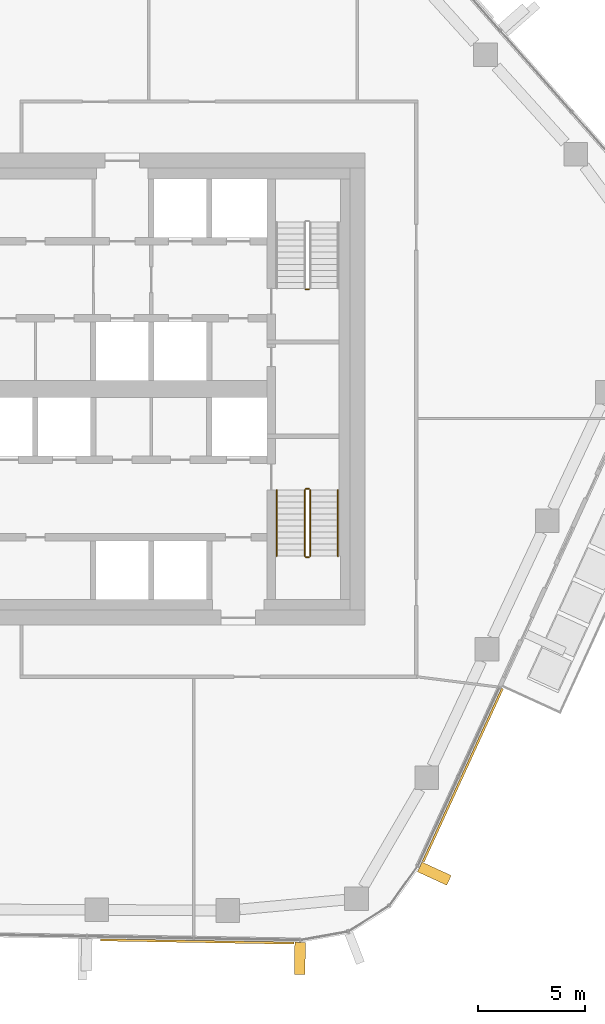
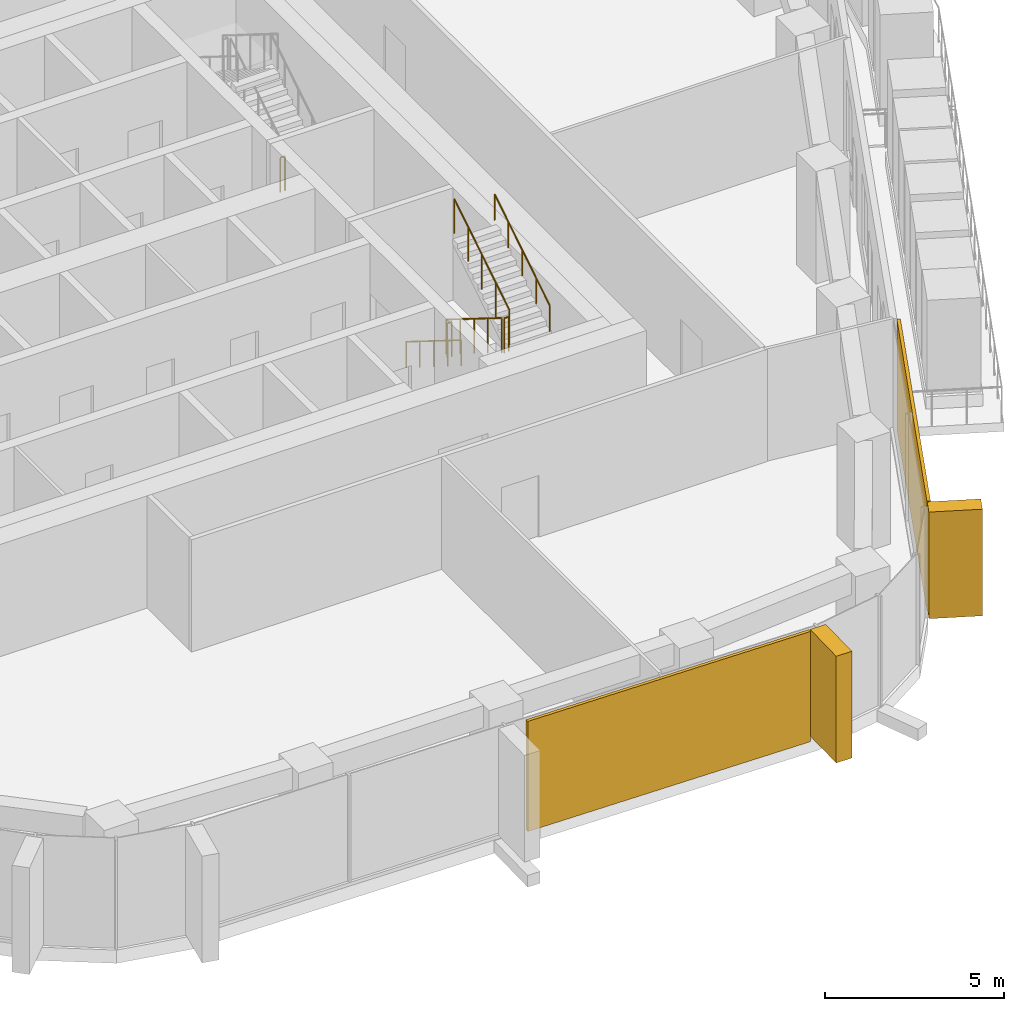
# One storey, part 18 of 22: 7 railings, 4 coverings, 2 elements without a shape of their own.
"""IFC4 building model written with IfcOpenShell, lengths in metres."""

from ifc_helpers import new_model, si_unit, direction, frame, origin, origin_2d, place, context, subcontext, project, spatial, rectangle, circle, extrude, material, layer, layer_set, material_profile, profile_set, type_object, element, aggregate, save


model = new_model("IFC4")

# Units and contexts
model_context = context("Model", 3, precision=1e-05, world=origin(), true_north=direction((0.0, 1.0)))
body_context = subcontext(model_context, "Body", "Model", "MODEL_VIEW")
ifc_project = project(units=[si_unit("LENGTHUNIT", "METRE"), si_unit("AREAUNIT", "SQUARE_METRE"), si_unit("VOLUMEUNIT", "CUBIC_METRE"), si_unit("PLANEANGLEUNIT", "RADIAN"), si_unit("MASSUNIT", "GRAM", prefix="KILO")], contexts=[model_context])

# Site, building, storey
site_placement = place(None, origin())
site = spatial("IfcSite", under=ifc_project, at=site_placement, CompositionType="ELEMENT")
building_placement = place(site_placement, origin())
building = spatial("IfcBuilding", under=site, at=building_placement, Name="Dongbaek Canopy Tower", CompositionType="ELEMENT")
storey_placement = place(building_placement, frame((0.0, 0.0, 237.0)))
storey = spatial("IfcBuildingStorey", under=building, at=storey_placement, Name="L49", CompositionType="ELEMENT", Elevation=237.0)

# Curtain wall, covering
ifc_material_1 = material(Name="Aluminium 6063-T6 pale anodised", Category="aluminium")
ifc_layer_1 = layer(ifc_material_1, 0.199951171875)
ifc_layer_set_1 = layer_set([ifc_layer_1], Name="CW-1 unitised tower curtain wall")
curtain_wall_type = type_object("IfcCurtainWallType", Name="CW-1 unitised tower curtain wall", PredefinedType="NOTDEFINED", material=ifc_layer_set_1)
curtain_wall_1_placement = place(storey_placement, origin())
curtain_wall_1 = element("IfcCurtainWall", 1, at=curtain_wall_1_placement, inside=storey, type_object=curtain_wall_type, Name="CW-1 curtain wall F4.1", PredefinedType="NOTDEFINED")
ifc_material_2 = material(Name="Perforated aluminium 6063-T6 pale metal screen", Category="aluminium")
ifc_layer_2 = layer(ifc_material_2, 0.10009765625)
ifc_layer_set_2 = layer_set([ifc_layer_2], Name="Facet screen FS1 100 pale metal")
covering_type_1 = type_object("IfcCoveringType", Name="Facet screen FS1 100 pale metal", PredefinedType="CLADDING", material=ifc_layer_set_2)
covering_1_placement = place(storey_placement, frame((6.1923828125, -25.74462890625, 0.0), z_axis=(0.0, 0.0, 1.0), x_axis=(0.999855600853, -0.016993452933, 0.0)))
covering_1 = element("IfcCovering", 2, at=covering_1_placement, type_object=covering_type_1, Name="Facet screen L49 F4", PredefinedType="CLADDING", context=body_context, shape_type="SweptSolid", body=[
    extrude(rectangle(XDim=9.011962890625, YDim=0.10009765625, at=origin_2d()), origin(), (0.0, 0.0, 1.0), 3.75),
])

curtain_wall_2_placement = place(storey_placement, origin())
curtain_wall_2 = element("IfcCurtainWall", 3, at=curtain_wall_2_placement, inside=storey, type_object=curtain_wall_type, Name="CW-1 curtain wall F5.1", PredefinedType="NOTDEFINED")
covering_2_placement = place(storey_placement, frame((18.5693359375, -17.988525390625, 0.0), z_axis=(0.0, 0.0, 1.0), x_axis=(0.416112572001, 0.909313107473, 0.0)))
covering_2 = element("IfcCovering", 4, at=covering_2_placement, type_object=covering_type_1, Name="Facet screen L49 F5", PredefinedType="CLADDING", context=body_context, shape_type="SweptSolid", body=[
    extrude(rectangle(XDim=8.876708984375, YDim=0.10009765625, at=origin_2d()), origin(), (0.0, 0.0, 1.0), 3.75),
])

# Covering
ifc_material_3 = material(Name="Aluminium 6063-T6 pale metal fin", Category="aluminium")
ifc_material_profile = material_profile(ifc_material_3, rectangle(XDim=1.5, YDim=0.5, at=origin_2d()), Name="Fin FN1 500 x 1500 pale metal")
ifc_profile_set = profile_set([ifc_material_profile], Name="Aluminium 6063-T6 pale metal fin")
covering_type_2 = type_object("IfcCoveringType", Name="Fin FN1 500 x 1500 pale metal", PredefinedType="CLADDING", material=ifc_profile_set)
covering_3_placement = place(storey_placement, frame((10.975830078125, -26.530029296875, 0.1201171875), z_axis=(0.0, 0.0, 1.0), x_axis=(-0.016993149743, -0.999855606006, 0.0)))
covering_3 = element("IfcCovering", 5, at=covering_3_placement, type_object=covering_type_2, Name="Fin F4.1.5", PredefinedType="CLADDING", context=body_context, shape_type="SweptSolid", body=[
    extrude(rectangle(XDim=1.5, YDim=0.5, at=origin_2d()), origin(), (0.0, 0.0, 1.0), 3.6298828125),
])

aggregate(curtain_wall_1, [covering_3, covering_1])

covering_4_placement = place(storey_placement, frame((17.241943359375, -22.5810546875, 0.1201171875), z_axis=(0.0, 0.0, 1.0), x_axis=(0.909313119282, -0.416112546196, 0.0)))
covering_4 = element("IfcCovering", 6, at=covering_4_placement, type_object=covering_type_2, Name="Fin F5.1.1", PredefinedType="CLADDING", context=body_context, shape_type="SweptSolid", body=[
    extrude(rectangle(XDim=1.5, YDim=0.5, at=origin_2d()), origin(), (0.0, 0.0, 1.0), 3.6298828125),
])

aggregate(curtain_wall_2, [covering_4, covering_2])

# Railings
ifc_material_4 = material(Name="Stainless steel tube and balusters", Category="steel")
railing_type_1 = type_object("IfcRailingType", Name="Stair guard 1200", PredefinedType="GUARDRAIL", material=ifc_material_4)
railing_1_placement = place(storey_placement, frame((11.39990234375, 4.64990234375, 0.0)))
element("IfcRailing", 7, at=railing_1_placement, inside=storey, type_object=railing_type_1, Name="L49 ST-A stair guard 4", PredefinedType="GUARDRAIL", context=body_context, shape_type="SweptSolid", body=[
    extrude(circle(Radius=0.02392578125, at=origin_2d()), frame((0.0, 0.0, 1.17578125), z_axis=(-1.0, 0.0, 0.0), x_axis=(0.0, -1.0, 0.0)), (0.0, 0.0, 1.0), 0.14990234375),
    extrude(circle(Radius=0.02099609375, at=origin_2d()), origin(), (0.0, 0.0, 1.0), 1.15185546875),
    extrude(circle(Radius=0.02099609375, at=origin_2d()), frame((-0.14990234375, 0.0, 0.0)), (0.0, 0.0, 1.0), 1.15185546875),
])
railing_2_placement = place(storey_placement, frame((11.199951171875, -4.699951171875, 0.175048828125)))
element("IfcRailing", 8, at=railing_2_placement, inside=storey, type_object=railing_type_1, Name="L49 ST-B stair guard 1", PredefinedType="GUARDRAIL", context=body_context, shape_type="SweptSolid", body=[
    extrude(circle(Radius=0.02392578125, at=origin_2d()), frame((0.0, 0.0, 1.17578125), z_axis=(0.0, -0.847998304005, 0.529998940003), x_axis=(1.0, 0.0, 0.0)), (0.0, 0.0, 1.0), 3.632080078125),
    extrude(circle(Radius=0.02099609375, at=origin_2d()), origin(), (0.0, 0.0, 1.0), 1.15185546875),
    extrude(circle(Radius=0.02099609375, at=origin_2d()), frame((0.0, -0.77001953125, 0.481201171875)), (0.0, 0.0, 1.0), 1.15185546875),
    extrude(circle(Radius=0.02099609375, at=origin_2d()), frame((0.0, -1.5400390625, 0.96240234375)), (0.0, 0.0, 1.0), 1.15185546875),
    extrude(circle(Radius=0.02099609375, at=origin_2d()), frame((0.0, -2.31005859375, 1.44384765625)), (0.0, 0.0, 1.0), 1.15185546875),
    extrude(circle(Radius=0.02099609375, at=origin_2d()), frame((0.0, -3.080078125, 1.925048828125)), (0.0, 0.0, 1.0), 1.15185546875),
])
railing_3_placement = place(storey_placement, frame((11.25, -7.830078125, 2.10009765625)))
element("IfcRailing", 9, at=railing_3_placement, inside=storey, type_object=railing_type_1, Name="L49 ST-B stair guard 2", PredefinedType="GUARDRAIL", context=body_context, shape_type="SweptSolid", body=[
    extrude(circle(Radius=0.02392578125, at=origin_2d()), frame((0.0, 0.0, 1.17578125), z_axis=(1.0, 0.0, 0.0), x_axis=(0.0, 1.0, 0.0)), (0.0, 0.0, 1.0), 0.14990234375),
    extrude(circle(Radius=0.02099609375, at=origin_2d()), origin(), (0.0, 0.0, 1.0), 1.15185546875),
    extrude(circle(Radius=0.02099609375, at=origin_2d()), frame((0.14990234375, 0.0, 0.0)), (0.0, 0.0, 1.0), 1.15185546875),
])
railing_4_placement = place(storey_placement, frame((11.449951171875, -7.780029296875, 2.27490234375)))
element("IfcRailing", 10, at=railing_4_placement, inside=storey, type_object=railing_type_1, Name="L49 ST-B stair guard 3", PredefinedType="GUARDRAIL", context=body_context, shape_type="SweptSolid", body=[
    extrude(circle(Radius=0.02392578125, at=origin_2d()), frame((0.0, 0.0, 1.17578125), z_axis=(0.0, 0.847998304005, 0.529998940003), x_axis=(-1.0, 0.0, 0.0)), (0.0, 0.0, 1.0), 3.632080078125),
    extrude(circle(Radius=0.02099609375, at=origin_2d()), origin(), (0.0, 0.0, 1.0), 1.15185546875),
    extrude(circle(Radius=0.02099609375, at=origin_2d()), frame((0.0, 0.77001953125, 0.481201171875)), (0.0, 0.0, 1.0), 1.15185546875),
    extrude(circle(Radius=0.02099609375, at=origin_2d()), frame((0.0, 1.5400390625, 0.96240234375)), (0.0, 0.0, 1.0), 1.15185546875),
    extrude(circle(Radius=0.02099609375, at=origin_2d()), frame((0.0, 2.31005859375, 1.44384765625)), (0.0, 0.0, 1.0), 1.15185546875),
    extrude(circle(Radius=0.02099609375, at=origin_2d()), frame((0.0, 3.080078125, 1.925048828125)), (0.0, 0.0, 1.0), 1.15185546875),
])
railing_5_placement = place(storey_placement, frame((11.25, -4.64990234375, 0.0)))
element("IfcRailing", 11, at=railing_5_placement, inside=storey, type_object=railing_type_1, Name="L49 ST-B stair guard 4", PredefinedType="GUARDRAIL", context=body_context, shape_type="SweptSolid", body=[
    extrude(circle(Radius=0.02392578125, at=origin_2d()), frame((0.0, 0.0, 1.17578125), z_axis=(1.0, 0.0, 0.0), x_axis=(0.0, 1.0, 0.0)), (0.0, 0.0, 1.0), 0.14990234375),
    extrude(circle(Radius=0.02099609375, at=origin_2d()), origin(), (0.0, 0.0, 1.0), 1.15185546875),
    extrude(circle(Radius=0.02099609375, at=origin_2d()), frame((0.14990234375, 0.0, 0.0)), (0.0, 0.0, 1.0), 1.15185546875),
])
ifc_material_5 = material(Name="Stainless steel tube", Category="steel")
railing_type_2 = type_object("IfcRailingType", Name="Stair handrail 900", PredefinedType="HANDRAIL", material=ifc_material_5)
railing_6_placement = place(storey_placement, frame((9.89990234375, -4.699951171875, 0.175048828125)))
element("IfcRailing", 12, at=railing_6_placement, inside=storey, type_object=railing_type_2, Name="L49 ST-B stair handrail 1", PredefinedType="HANDRAIL", context=body_context, shape_type="SweptSolid", body=[
    extrude(circle(Radius=0.02392578125, at=origin_2d()), frame((0.0, 0.0, 0.8759765625), z_axis=(0.0, -0.847998304005, 0.529998940003), x_axis=(1.0, 0.0, 0.0)), (0.0, 0.0, 1.0), 3.632080078125),
    extrude(circle(Radius=0.02099609375, at=origin_2d()), origin(), (0.0, 0.0, 1.0), 0.851806640625),
    extrude(circle(Radius=0.02099609375, at=origin_2d()), frame((0.0, -0.77001953125, 0.481201171875)), (0.0, 0.0, 1.0), 0.851806640625),
    extrude(circle(Radius=0.02099609375, at=origin_2d()), frame((0.0, -1.5400390625, 0.96240234375)), (0.0, 0.0, 1.0), 0.851806640625),
    extrude(circle(Radius=0.02099609375, at=origin_2d()), frame((0.0, -2.31005859375, 1.44384765625)), (0.0, 0.0, 1.0), 0.851806640625),
    extrude(circle(Radius=0.02099609375, at=origin_2d()), frame((0.0, -3.080078125, 1.925048828125)), (0.0, 0.0, 1.0), 0.851806640625),
])
railing_7_placement = place(storey_placement, frame((12.75, -7.780029296875, 2.27490234375)))
element("IfcRailing", 13, at=railing_7_placement, inside=storey, type_object=railing_type_2, Name="L49 ST-B stair handrail 2", PredefinedType="HANDRAIL", context=body_context, shape_type="SweptSolid", body=[
    extrude(circle(Radius=0.02392578125, at=origin_2d()), frame((0.0, 0.0, 0.8759765625), z_axis=(0.0, 0.847998304005, 0.529998940003), x_axis=(-1.0, 0.0, 0.0)), (0.0, 0.0, 1.0), 3.632080078125),
    extrude(circle(Radius=0.02099609375, at=origin_2d()), origin(), (0.0, 0.0, 1.0), 0.851806640625),
    extrude(circle(Radius=0.02099609375, at=origin_2d()), frame((0.0, 0.77001953125, 0.481201171875)), (0.0, 0.0, 1.0), 0.851806640625),
    extrude(circle(Radius=0.02099609375, at=origin_2d()), frame((0.0, 1.5400390625, 0.96240234375)), (0.0, 0.0, 1.0), 0.851806640625),
    extrude(circle(Radius=0.02099609375, at=origin_2d()), frame((0.0, 2.31005859375, 1.44384765625)), (0.0, 0.0, 1.0), 0.851806640625),
    extrude(circle(Radius=0.02099609375, at=origin_2d()), frame((0.0, 3.080078125, 1.925048828125)), (0.0, 0.0, 1.0), 0.851806640625),
])

save(model, "model.ifc")
